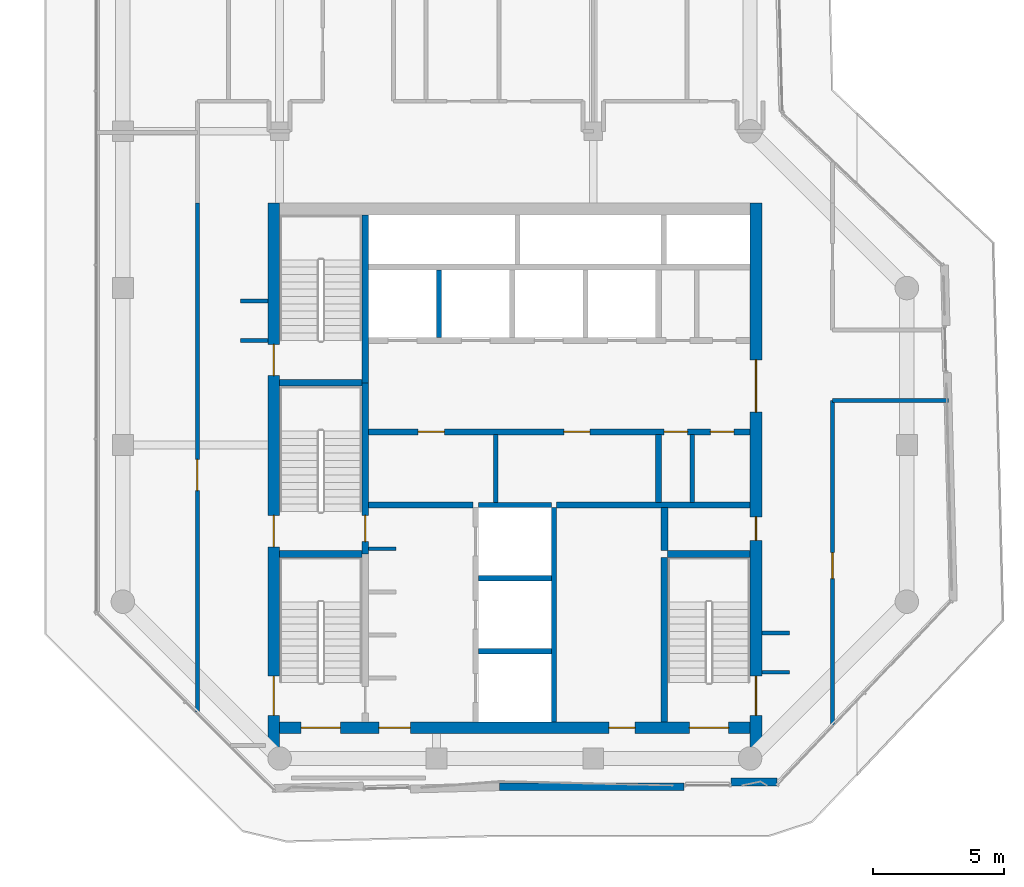
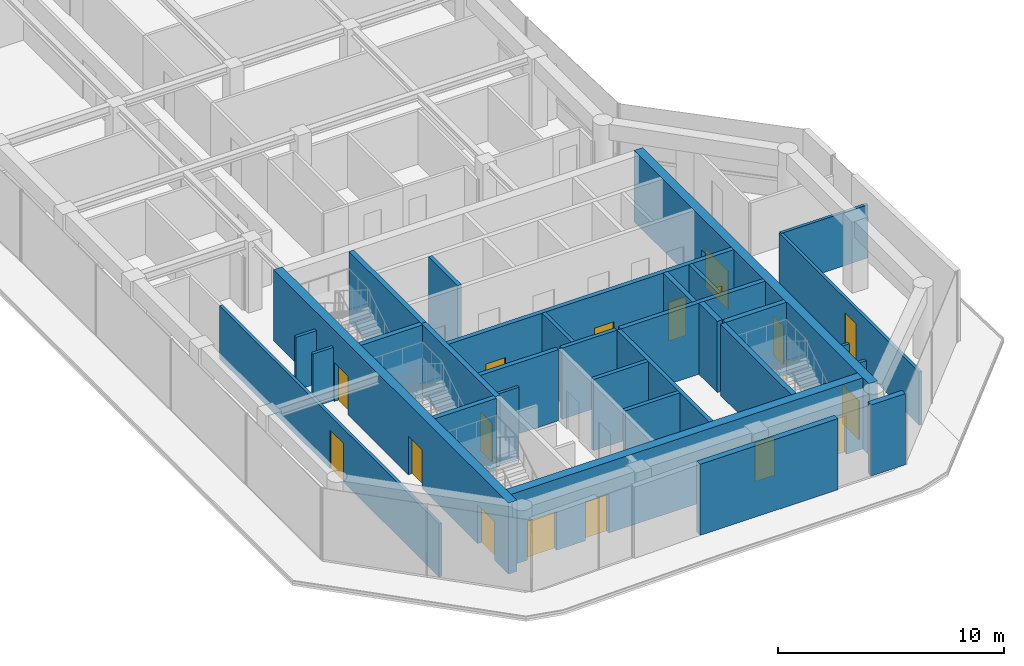
# One storey, part 16 of 20: 31 walls, 17 doors, 17 openings.
"""IFC4 building model written with IfcOpenShell, lengths in metres."""

from ifc_helpers import new_model, si_unit, direction, frame, frame_2d, origin, place, context, subcontext, project, spatial, rectangle, extrude, material, layer, layer_set, type_object, element, fill, save


model = new_model("IFC4")

# Units and contexts
model_context = context("Model", 3, precision=1e-05, world=origin(), true_north=direction((0.0, 1.0)))
body_context = subcontext(model_context, "Body", "Model", "MODEL_VIEW")
ifc_project = project(units=[si_unit("LENGTHUNIT", "METRE"), si_unit("AREAUNIT", "SQUARE_METRE"), si_unit("VOLUMEUNIT", "CUBIC_METRE"), si_unit("PLANEANGLEUNIT", "RADIAN"), si_unit("MASSUNIT", "GRAM", prefix="KILO")], contexts=[model_context])

# Site, building, storey
site_placement = place(None, origin())
site = spatial("IfcSite", under=ifc_project, at=site_placement, CompositionType="ELEMENT")
building_placement = place(site_placement, origin())
building = spatial("IfcBuilding", under=site, at=building_placement, Name="Welwitschia Terrace Campus", CompositionType="ELEMENT")
storey_placement = place(building_placement, frame((0.0, 0.0, 222.199951171875)))
storey = spatial("IfcBuildingStorey", under=building, at=storey_placement, Name="L49", CompositionType="ELEMENT", Elevation=222.199951171875)

# Walls
ifc_material_1 = material(Name="Concrete C32/40", Category="concrete")
ifc_layer_1 = layer(ifc_material_1, 0.175048828125)
ifc_layer_set_1 = layer_set([ifc_layer_1], Name="Concrete C32/40")
wall_type_1 = type_object("IfcWallType", Name="Core partition 175 Concrete C32/40", PredefinedType="PARTITIONING", material=ifc_layer_set_1)
for number, where, z_axis, x_axis, name in (
    (1, (14.27490234375, 13.800048828125, 0.0), (0.0, 0.0, 1.0), (0.0, 1.0, 0.0), "Core partition"),
    (2, (21.7900390625, 13.800048828125, 0.0), (0.0, 0.0, 1.0), (0.0, 1.0, 0.0), "Core partition"),
):
    element("IfcWall", number, at=place(storey_placement, frame(where, z_axis=z_axis, x_axis=x_axis)), inside=storey, type_object=wall_type_1, Name=name, PredefinedType="PARTITIONING", context=body_context, shape_type="SweptSolid", body=[
        extrude(rectangle(XDim=2.599853515625, YDim=0.175048828125, at=frame_2d((1.2998046875, 0.0))), origin(), (0.0, 0.0, 1.0), 3.85009765625),
    ])
ifc_material_2 = material(Name="Concrete C32/40", Category="concrete")
ifc_layer_2 = layer(ifc_material_2, 0.22509765625)
ifc_layer_set_2 = layer_set([ifc_layer_2], Name="Concrete C32/40")
wall_type_2 = type_object("IfcWallType", Name="Core partition 225 Concrete C32/40", PredefinedType="PARTITIONING", material=ifc_layer_set_2)
wall_1_placement = place(storey_placement, frame((9.39990234375, 13.699951171875, 0.0), z_axis=(0.0, 0.0, 1.0), x_axis=(1.0, 0.0, 0.0)))
element("IfcWall", 3, at=wall_1_placement, inside=storey, type_object=wall_type_2, Name="Core partition", PredefinedType="PARTITIONING", context=body_context, shape_type="SweptSolid", body=[
    extrude(rectangle(XDim=4.0, YDim=0.22509765625, at=frame_2d((2.0, 0.0))), origin(), (0.0, 0.0, 1.0), 3.85009765625),
])
wall_2_placement = place(storey_placement, frame((16.60009765625, 13.699951171875, 0.0), z_axis=(0.0, 0.0, 1.0), x_axis=(1.0, 0.0, 0.0)))
element("IfcWall", 4, at=wall_2_placement, inside=storey, type_object=wall_type_2, Name="Core partition", PredefinedType="PARTITIONING", context=body_context, shape_type="SweptSolid", body=[
    extrude(rectangle(XDim=7.39990234375, YDim=0.22509765625, at=frame_2d((3.699951171875, 0.0))), origin(), (0.0, 0.0, 1.0), 3.85009765625),
])

# Wall, openings, doors
wall_3_placement = place(storey_placement, frame((9.39990234375, 16.5, 0.0), z_axis=(0.0, 0.0, 1.0), x_axis=(1.0, 0.0, 0.0)))
wall_3 = element("IfcWall", 5, at=wall_3_placement, inside=storey, type_object=wall_type_2, Name="Core partition", PredefinedType="PARTITIONING", context=body_context, shape_type="SweptSolid", body=[
    extrude(rectangle(XDim=14.60009765625, YDim=0.22509765625, at=frame_2d((7.300048828125, 0.0))), origin(), (0.0, 0.0, 1.0), 3.85009765625),
])
opening_1_placement = place(wall_3_placement, frame((1.89990234375, 0.0, 0.0)))
opening_1 = element("IfcOpeningElement", 6, at=opening_1_placement, cuts=wall_3, Name="Opening DR10", PredefinedType="OPENING", context=body_context, shape_type="SweptSolid", body=[
    extrude(rectangle(XDim=1.0, YDim=2.10009765625, at=frame_2d((0.5, 1.050048828125))), frame((0.0, 0.12255859375, 0.0), z_axis=(0.0, -1.0, 0.0), x_axis=(1.0, 0.0, 0.0)), (0.0, 0.0, 1.0), 0.2451171875),
])
opening_2_placement = place(wall_3_placement, frame((7.47509765625, 0.0, 0.0)))
opening_2 = element("IfcOpeningElement", 7, at=opening_2_placement, cuts=wall_3, Name="Opening DR10", PredefinedType="OPENING", context=body_context, shape_type="SweptSolid", body=[
    extrude(rectangle(XDim=1.0, YDim=2.10009765625, at=frame_2d((0.5, 1.050048828125))), frame((0.0, 0.12255859375, 0.0), z_axis=(0.0, -1.0, 0.0), x_axis=(1.0, 0.0, 0.0)), (0.0, 0.0, 1.0), 0.2451171875),
])
opening_3_placement = place(wall_3_placement, frame((11.3076171875, 0.0, 0.0)))
opening_3 = element("IfcOpeningElement", 8, at=opening_3_placement, cuts=wall_3, Name="Opening DR09", PredefinedType="OPENING", context=body_context, shape_type="SweptSolid", body=[
    extrude(rectangle(XDim=0.89990234375, YDim=2.10009765625, at=frame_2d((0.449951171875, 1.050048828125))), frame((0.0, 0.12255859375, 0.0), z_axis=(0.0, -1.0, 0.0), x_axis=(1.0, 0.0, 0.0)), (0.0, 0.0, 1.0), 0.2451171875),
])
opening_4_placement = place(wall_3_placement, frame((13.08251953125, 0.0, 0.0)))
opening_4 = element("IfcOpeningElement", 9, at=opening_4_placement, cuts=wall_3, Name="Opening DR09", PredefinedType="OPENING", context=body_context, shape_type="SweptSolid", body=[
    extrude(rectangle(XDim=0.89990234375, YDim=2.10009765625, at=frame_2d((0.449951171875, 1.050048828125))), frame((0.0, 0.12255859375, 0.0), z_axis=(0.0, -1.0, 0.0), x_axis=(1.0, 0.0, 0.0)), (0.0, 0.0, 1.0), 0.2451171875),
])
ifc_material_3 = material(Name="Steel S275", Category="steel")
door_type_1 = type_object("IfcDoorType", Name="Core door DR09", OperationType="SINGLE_SWING_LEFT", PredefinedType="DOOR", material=ifc_material_3)
door_1_placement = place(opening_3_placement, origin())
door_1 = element("IfcDoor", 10, at=door_1_placement, inside=storey, type_object=door_type_1, Name="Door EL1-D", OperationType="SINGLE_SWING_RIGHT", OverallHeight=2.10009765625, OverallWidth=0.89990234375, PredefinedType="DOOR", context=body_context, shape_type="SweptSolid", body=[
    extrude(rectangle(XDim=0.89990234375, YDim=2.10009765625, at=frame_2d((0.449951171875, 1.050048828125))), frame((0.0, 0.02490234375, 0.0), z_axis=(0.0, -1.0, 0.0), x_axis=(1.0, 0.0, 0.0)), (0.0, 0.0, 1.0), 0.050048828125),
])
fill(opening_3, door_1)
door_2_placement = place(opening_4_placement, origin())
door_2 = element("IfcDoor", 11, at=door_2_placement, inside=storey, type_object=door_type_1, Name="Door EL2-D", OperationType="SINGLE_SWING_RIGHT", OverallHeight=2.10009765625, OverallWidth=0.89990234375, PredefinedType="DOOR", context=body_context, shape_type="SweptSolid", body=[
    extrude(rectangle(XDim=0.89990234375, YDim=2.10009765625, at=frame_2d((0.449951171875, 1.050048828125))), frame((0.0, 0.02490234375, 0.0), z_axis=(0.0, -1.0, 0.0), x_axis=(1.0, 0.0, 0.0)), (0.0, 0.0, 1.0), 0.050048828125),
])
fill(opening_4, door_2)
ifc_material_4 = material(Name="Steel S275", Category="steel")
door_type_2 = type_object("IfcDoorType", Name="Core door DR10", OperationType="SINGLE_SWING_LEFT", PredefinedType="DOOR", material=ifc_material_4)
door_3_placement = place(opening_1_placement, origin())
door_3 = element("IfcDoor", 12, at=door_3_placement, inside=storey, type_object=door_type_2, Name="Door BAYL1-D", OperationType="SINGLE_SWING_LEFT", OverallHeight=2.10009765625, OverallWidth=1.0, PredefinedType="DOOR", context=body_context, shape_type="SweptSolid", body=[
    extrude(rectangle(XDim=1.0, YDim=2.10009765625, at=frame_2d((0.5, 1.050048828125))), frame((0.0, 0.02490234375, 0.0), z_axis=(0.0, -1.0, 0.0), x_axis=(1.0, 0.0, 0.0)), (0.0, 0.0, 1.0), 0.050048828125),
])
fill(opening_1, door_3)
door_4_placement = place(opening_2_placement, origin())
door_4 = element("IfcDoor", 13, at=door_4_placement, inside=storey, type_object=door_type_2, Name="Door BAYL2-D", OperationType="SINGLE_SWING_RIGHT", OverallHeight=2.10009765625, OverallWidth=1.0, PredefinedType="DOOR", context=body_context, shape_type="SweptSolid", body=[
    extrude(rectangle(XDim=1.0, YDim=2.10009765625, at=frame_2d((0.5, 1.050048828125))), frame((0.0, 0.02490234375, 0.0), z_axis=(0.0, -1.0, 0.0), x_axis=(1.0, 0.0, 0.0)), (0.0, 0.0, 1.0), 0.050048828125),
])
fill(opening_2, door_4)

# Walls
wall_4_placement = place(storey_placement, frame((20.5, 13.800048828125, 0.0), z_axis=(0.0, 0.0, 1.0), x_axis=(0.0, 1.0, 0.0)))
element("IfcWall", 14, at=wall_4_placement, inside=storey, type_object=wall_type_2, Name="Core partition", PredefinedType="PARTITIONING", context=body_context, shape_type="SweptSolid", body=[
    extrude(rectangle(XDim=2.599853515625, YDim=0.22509765625, at=frame_2d((1.2998046875, 0.0))), origin(), (0.0, 0.0, 1.0), 3.85009765625),
])
ifc_material_5 = material(Name="Concrete C32/40", Category="concrete")
ifc_layer_3 = layer(ifc_material_5, 0.27490234375)
ifc_layer_set_3 = layer_set([ifc_layer_3], Name="Concrete C32/40")
wall_type_3 = type_object("IfcWallType", Name="Core partition 275 Concrete C32/40", PredefinedType="PARTITIONING", material=ifc_layer_set_3)
wall_5_placement = place(storey_placement, frame((20.72509765625, 11.949951171875, 0.0), z_axis=(0.0, 0.0, 1.0), x_axis=(0.0, 1.0, 0.0)))
element("IfcWall", 15, at=wall_5_placement, inside=storey, type_object=wall_type_3, Name="Core partition", PredefinedType="PARTITIONING", context=body_context, shape_type="SweptSolid", body=[
    extrude(rectangle(XDim=1.650146484375, YDim=0.27490234375, at=frame_2d((0.8251953125, 0.0))), origin(), (0.0, 0.0, 1.0), 3.85009765625),
])
ifc_material_6 = material(Name="Concrete C50/60", Category="concrete")
ifc_layer_4 = layer(ifc_material_6, 0.14990234375)
ifc_layer_set_4 = layer_set([ifc_layer_4], Name="Concrete C50/60")
wall_type_4 = type_object("IfcWallType", Name="Core wall 150 Concrete C50/60", PredefinedType="SHEAR", material=ifc_layer_set_4)
wall_6_placement = place(storey_placement, frame((9.39990234375, 12.02490234375, 0.0), z_axis=(0.0, 0.0, 1.0), x_axis=(1.0, 0.0, 0.0)))
element("IfcWall", 16, at=wall_6_placement, inside=storey, type_object=wall_type_4, Name="Core wall", PredefinedType="SHEAR", context=body_context, shape_type="SweptSolid", body=[
    extrude(rectangle(XDim=1.050048828125, YDim=0.14990234375, at=frame_2d((0.52490234375, 0.0))), origin(), (0.0, 0.0, 1.0), 3.85009765625),
])
ifc_material_7 = material(Name="Concrete C50/60", Category="concrete")
ifc_layer_5 = layer(ifc_material_7, 0.199951171875)
ifc_layer_set_5 = layer_set([ifc_layer_5], Name="Concrete C50/60")
wall_type_5 = type_object("IfcWallType", Name="Core wall 200 Concrete C50/60", PredefinedType="SHEAR", material=ifc_layer_set_5)
for number, where, z_axis, x_axis, name in (
    (17, (13.60009765625, 8.10009765625, 0.0), (0.0, 0.0, 1.0), (1.0, 0.0, 0.0), "Core wall"),
    (18, (13.60009765625, 10.89990234375, 0.0), (0.0, 0.0, 1.0), (1.0, 0.0, 0.0), "Core wall"),
    (19, (13.60009765625, 13.699951171875, 0.0), (0.0, 0.0, 1.0), (1.0, 0.0, 0.0), "Core wall"),
):
    element("IfcWall", number, at=place(storey_placement, frame(where, z_axis=z_axis, x_axis=x_axis)), inside=storey, type_object=wall_type_5, Name=name, PredefinedType="SHEAR", context=body_context, shape_type="SweptSolid", body=[
        extrude(rectangle(XDim=2.7998046875, YDim=0.199951171875, at=frame_2d((1.39990234375, 0.0))), origin(), (0.0, 0.0, 1.0), 3.85009765625),
    ])
wall_7_placement = place(storey_placement, frame((16.5, 5.39990234375, 0.0), z_axis=(0.0, 0.0, 1.0), x_axis=(0.0, 1.0, 0.0)))
element("IfcWall", 20, at=wall_7_placement, inside=storey, type_object=wall_type_5, Name="Core wall", PredefinedType="SHEAR", context=body_context, shape_type="SweptSolid", body=[
    extrude(rectangle(XDim=8.2001953125, YDim=0.199951171875, at=frame_2d((4.10009765625, 0.0))), origin(), (0.0, 0.0, 1.0), 3.85009765625),
])
ifc_material_8 = material(Name="Concrete C50/60", Category="concrete")
ifc_layer_6 = layer(ifc_material_8, 0.25)
ifc_layer_set_6 = layer_set([ifc_layer_6], Name="Concrete C50/60")
wall_type_6 = type_object("IfcWallType", Name="Core wall 250 Concrete C50/60", PredefinedType="SHEAR", material=ifc_layer_set_6)
for number, where, z_axis, x_axis, name in (
    (21, (6.0, 11.824951171875, 0.0), (0.0, 0.0, 1.0), (1.0, 0.0, 0.0), "Core wall"),
    (22, (20.85009765625, 11.824951171875, 0.0), (0.0, 0.0, 1.0), (1.0, 0.0, 0.0), "Core wall"),
    (23, (6.0, 18.375, 0.0), (0.0, 0.0, 1.0), (1.0, 0.0, 0.0), "Core wall"),
):
    element("IfcWall", number, at=place(storey_placement, frame(where, z_axis=z_axis, x_axis=x_axis)), inside=storey, type_object=wall_type_6, Name=name, PredefinedType="SHEAR", context=body_context, shape_type="SweptSolid", body=[
        extrude(rectangle(XDim=3.14990234375, YDim=0.25, at=frame_2d((1.574951171875, 0.0))), origin(), (0.0, 0.0, 1.0), 3.85009765625),
    ])

# Wall, opening, door
wall_8_placement = place(storey_placement, frame((9.27490234375, 18.375, 0.0), z_axis=(0.0, 0.0, 1.0), x_axis=(0.0, -1.0, 0.0)))
wall_8 = element("IfcWall", 24, at=wall_8_placement, inside=storey, type_object=wall_type_6, Name="Core wall", PredefinedType="SHEAR", context=body_context, shape_type="SweptSolid", body=[
    extrude(rectangle(XDim=6.550048828125, YDim=0.25, at=frame_2d((3.27490234375, 0.0))), origin(), (0.0, 0.0, 1.0), 3.85009765625),
])
opening_5_placement = place(wall_8_placement, frame((5.074951171875, 0.0, 0.0)))
opening_5 = element("IfcOpeningElement", 25, at=opening_5_placement, cuts=wall_8, Name="Opening DS10", PredefinedType="OPENING", context=body_context, shape_type="SweptSolid", body=[
    extrude(rectangle(XDim=1.0, YDim=2.10009765625, at=frame_2d((0.5, 1.050048828125))), frame((0.0, 0.135009765625, 0.0), z_axis=(0.0, -1.0, 0.0), x_axis=(1.0, 0.0, 0.0)), (0.0, 0.0, 1.0), 0.27001953125),
])
ifc_material_9 = material(Name="Steel S275", Category="steel")
door_type_3 = type_object("IfcDoorType", Name="Core door DS10", OperationType="SINGLE_SWING_LEFT", PredefinedType="DOOR", material=ifc_material_9)
door_5_placement = place(opening_5_placement, origin())
door_5 = element("IfcDoor", 26, at=door_5_placement, inside=storey, type_object=door_type_3, Name="Door S3-FL", OperationType="SINGLE_SWING_RIGHT", OverallHeight=2.10009765625, OverallWidth=1.0, PredefinedType="DOOR", context=body_context, shape_type="SweptSolid", body=[
    extrude(rectangle(XDim=1.0, YDim=2.10009765625, at=frame_2d((0.5, 1.050048828125))), frame((0.0, 0.02490234375, 0.0), z_axis=(0.0, -1.0, 0.0), x_axis=(1.0, 0.0, 0.0)), (0.0, 0.0, 1.0), 0.050048828125),
])
fill(opening_5, door_5)

# Walls
wall_9_placement = place(storey_placement, frame((9.27490234375, 18.375, 0.0), z_axis=(0.0, 0.0, 1.0), x_axis=(0.0, 1.0, 0.0)))
element("IfcWall", 27, at=wall_9_placement, inside=storey, type_object=wall_type_6, Name="Core wall", PredefinedType="SHEAR", context=body_context, shape_type="SweptSolid", body=[
    extrude(rectangle(XDim=6.425048828125, YDim=0.25, at=frame_2d((3.21240234375, 0.0))), origin(), (0.0, 0.0, 1.0), 3.85009765625),
])
wall_10_placement = place(storey_placement, frame((20.72509765625, 5.39990234375, 0.0), z_axis=(0.0, 0.0, 1.0), x_axis=(0.0, 1.0, 0.0)))
element("IfcWall", 28, at=wall_10_placement, inside=storey, type_object=wall_type_6, Name="Core wall", PredefinedType="SHEAR", context=body_context, shape_type="SweptSolid", body=[
    extrude(rectangle(XDim=6.300048828125, YDim=0.25, at=frame_2d((3.14990234375, 0.0))), origin(), (0.0, 0.0, 1.0), 3.85009765625),
])

# Wall, openings, doors
ifc_material_10 = material(Name="Concrete C60/75", Category="concrete")
ifc_layer_7 = layer(ifc_material_10, 0.449951171875)
ifc_layer_set_7 = layer_set([ifc_layer_7], Name="Concrete C60/75")
wall_type_7 = type_object("IfcWallType", Name="Core wall 450 Concrete C60/75", PredefinedType="SHEAR", material=ifc_layer_set_7)
wall_11_placement = place(storey_placement, frame((5.77490234375, 4.419921875, 0.0), z_axis=(0.0, 0.0, 1.0), x_axis=(0.0, 1.0, 0.0)))
wall_11 = element("IfcWall", 29, at=wall_11_placement, inside=storey, type_object=wall_type_7, Name="Core outer wall", PredefinedType="SHEAR", context=body_context, shape_type="SweptSolid", body=[
    extrude(rectangle(XDim=20.830078125, YDim=0.449951171875, at=frame_2d((10.4150390625, 0.0))), origin(), (0.0, 0.0, 1.0), 3.85009765625),
])
opening_6_placement = place(wall_11_placement, frame((1.22998046875, 0.0, 0.0)))
opening_6 = element("IfcOpeningElement", 30, at=opening_6_placement, cuts=wall_11, Name="Opening DS15", PredefinedType="OPENING", context=body_context, shape_type="SweptSolid", body=[
    extrude(rectangle(XDim=1.5, YDim=2.10009765625, at=frame_2d((0.75, 1.050048828125))), frame((0.0, 0.23486328125, 0.0), z_axis=(0.0, -1.0, 0.0), x_axis=(1.0, 0.0, 0.0)), (0.0, 0.0, 1.0), 0.469970703125),
])
opening_7_placement = place(wall_11_placement, frame((7.679931640625, 0.0, 0.0)))
opening_7 = element("IfcOpeningElement", 31, at=opening_7_placement, cuts=wall_11, Name="Opening DS12", PredefinedType="OPENING", context=body_context, shape_type="SweptSolid", body=[
    extrude(rectangle(XDim=1.199951171875, YDim=2.10009765625, at=frame_2d((0.60009765625, 1.050048828125))), frame((0.0, 0.23486328125, 0.0), z_axis=(0.0, -1.0, 0.0), x_axis=(1.0, 0.0, 0.0)), (0.0, 0.0, 1.0), 0.469970703125),
])
opening_8_placement = place(wall_11_placement, frame((14.22998046875, 0.0, 0.0)))
opening_8 = element("IfcOpeningElement", 32, at=opening_8_placement, cuts=wall_11, Name="Opening DS12", PredefinedType="OPENING", context=body_context, shape_type="SweptSolid", body=[
    extrude(rectangle(XDim=1.199951171875, YDim=2.10009765625, at=frame_2d((0.60009765625, 1.050048828125))), frame((0.0, 0.23486328125, 0.0), z_axis=(0.0, -1.0, 0.0), x_axis=(1.0, 0.0, 0.0)), (0.0, 0.0, 1.0), 0.469970703125),
])
ifc_material_11 = material(Name="Steel S275", Category="steel")
door_type_4 = type_object("IfcDoorType", Name="Core door DS12", OperationType="SINGLE_SWING_LEFT", PredefinedType="DOOR", material=ifc_material_11)
door_6_placement = place(opening_7_placement, origin())
door_6 = element("IfcDoor", 33, at=door_6_placement, inside=storey, type_object=door_type_4, Name="Door S3-out", OperationType="SINGLE_SWING_LEFT", OverallHeight=2.10009765625, OverallWidth=1.199951171875, PredefinedType="DOOR", context=body_context, shape_type="SweptSolid", body=[
    extrude(rectangle(XDim=1.199951171875, YDim=2.10009765625, at=frame_2d((0.60009765625, 1.050048828125))), frame((0.0, 0.02490234375, 0.0), z_axis=(0.0, -1.0, 0.0), x_axis=(1.0, 0.0, 0.0)), (0.0, 0.0, 1.0), 0.050048828125),
])
fill(opening_7, door_6)
door_7_placement = place(opening_8_placement, origin())
door_7 = element("IfcDoor", 34, at=door_7_placement, inside=storey, type_object=door_type_4, Name="Door S4-out", OperationType="SINGLE_SWING_RIGHT", OverallHeight=2.10009765625, OverallWidth=1.199951171875, PredefinedType="DOOR", context=body_context, shape_type="SweptSolid", body=[
    extrude(rectangle(XDim=1.199951171875, YDim=2.10009765625, at=frame_2d((0.60009765625, 1.050048828125))), frame((0.0, 0.02490234375, 0.0), z_axis=(0.0, -1.0, 0.0), x_axis=(1.0, 0.0, 0.0)), (0.0, 0.0, 1.0), 0.050048828125),
])
fill(opening_8, door_7)
ifc_material_12 = material(Name="Steel S275", Category="steel")
door_type_5 = type_object("IfcDoorType", Name="Core door DS15", OperationType="DOUBLE_DOOR_SINGLE_SWING", PredefinedType="DOOR", material=ifc_material_12)
door_8_placement = place(opening_6_placement, origin())
door_8 = element("IfcDoor", 35, at=door_8_placement, inside=storey, type_object=door_type_5, Name="Door S1-out", OperationType="DOUBLE_DOOR_SINGLE_SWING", OverallHeight=2.10009765625, OverallWidth=1.5, PredefinedType="DOOR", context=body_context, shape_type="SweptSolid", body=[
    extrude(rectangle(XDim=1.5, YDim=2.10009765625, at=frame_2d((0.75, 1.050048828125))), frame((0.0, 0.02490234375, 0.0), z_axis=(0.0, -1.0, 0.0), x_axis=(1.0, 0.0, 0.0)), (0.0, 0.0, 1.0), 0.050048828125),
])
fill(opening_6, door_8)

wall_12_placement = place(storey_placement, frame((24.22509765625, 25.25, 0.0), z_axis=(0.0, 0.0, 1.0), x_axis=(0.0, -1.0, 0.0)))
wall_12 = element("IfcWall", 36, at=wall_12_placement, inside=storey, type_object=wall_type_7, Name="Core outer wall", PredefinedType="SHEAR", context=body_context, shape_type="SweptSolid", body=[
    extrude(rectangle(XDim=20.830078125, YDim=0.449951171875, at=frame_2d((10.4150390625, 0.0))), origin(), (0.0, 0.0, 1.0), 3.85009765625),
])
opening_9_placement = place(wall_12_placement, frame((18.10009765625, 0.0, 0.0)))
opening_9 = element("IfcOpeningElement", 37, at=opening_9_placement, cuts=wall_12, Name="Opening DS15", PredefinedType="OPENING", context=body_context, shape_type="SweptSolid", body=[
    extrude(rectangle(XDim=1.5, YDim=2.10009765625, at=frame_2d((0.75, 1.050048828125))), frame((0.0, 0.23486328125, 0.0), z_axis=(0.0, -1.0, 0.0), x_axis=(1.0, 0.0, 0.0)), (0.0, 0.0, 1.0), 0.469970703125),
])
opening_10_placement = place(wall_12_placement, frame((12.0, 0.0, 0.0)))
opening_10 = element("IfcOpeningElement", 38, at=opening_10_placement, cuts=wall_12, Name="Opening DR09", PredefinedType="OPENING", context=body_context, shape_type="SweptSolid", body=[
    extrude(rectangle(XDim=0.89990234375, YDim=2.10009765625, at=frame_2d((0.449951171875, 1.050048828125))), frame((0.0, 0.23486328125, 0.0), z_axis=(0.0, -1.0, 0.0), x_axis=(1.0, 0.0, 0.0)), (0.0, 0.0, 1.0), 0.469970703125),
])
opening_11_placement = place(wall_12_placement, frame((6.0, 0.0, 0.0)))
opening_11 = element("IfcOpeningElement", 39, at=opening_11_placement, cuts=wall_12, Name="Opening DL20", PredefinedType="OPENING", context=body_context, shape_type="SweptSolid", body=[
    extrude(rectangle(XDim=2.0, YDim=2.10009765625, at=frame_2d((1.0, 1.050048828125))), frame((0.0, 0.23486328125, 0.0), z_axis=(0.0, -1.0, 0.0), x_axis=(1.0, 0.0, 0.0)), (0.0, 0.0, 1.0), 0.469970703125),
])
ifc_material_13 = material(Name="Steel S275", Category="steel")
door_type_6 = type_object("IfcDoorType", Name="Core door DL20", OperationType="DOUBLE_DOOR_SINGLE_SWING", PredefinedType="DOOR", material=ifc_material_13)
door_9_placement = place(opening_11_placement, origin())
door_9 = element("IfcDoor", 40, at=door_9_placement, inside=storey, type_object=door_type_6, Name="Door LOBBY-out", OperationType="DOUBLE_DOOR_SINGLE_SWING", OverallHeight=2.10009765625, OverallWidth=2.0, PredefinedType="DOOR", context=body_context, shape_type="SweptSolid", body=[
    extrude(rectangle(XDim=2.0, YDim=2.10009765625, at=frame_2d((1.0, 1.050048828125))), frame((0.0, 0.02490234375, 0.0), z_axis=(0.0, -1.0, 0.0), x_axis=(1.0, 0.0, 0.0)), (0.0, 0.0, 1.0), 0.050048828125),
])
fill(opening_11, door_9)
door_10_placement = place(opening_10_placement, origin())
door_10 = element("IfcDoor", 41, at=door_10_placement, inside=storey, type_object=door_type_1, Name="Door F1B-out", OperationType="SINGLE_SWING_RIGHT", OverallHeight=2.10009765625, OverallWidth=0.89990234375, PredefinedType="DOOR", context=body_context, shape_type="SweptSolid", body=[
    extrude(rectangle(XDim=0.89990234375, YDim=2.10009765625, at=frame_2d((0.449951171875, 1.050048828125))), frame((0.0, 0.02490234375, 0.0), z_axis=(0.0, -1.0, 0.0), x_axis=(1.0, 0.0, 0.0)), (0.0, 0.0, 1.0), 0.050048828125),
])
fill(opening_10, door_10)
door_11_placement = place(opening_9_placement, origin())
door_11 = element("IfcDoor", 42, at=door_11_placement, inside=storey, type_object=door_type_5, Name="Door S2-out", OperationType="DOUBLE_DOOR_SINGLE_SWING", OverallHeight=2.10009765625, OverallWidth=1.5, PredefinedType="DOOR", context=body_context, shape_type="SweptSolid", body=[
    extrude(rectangle(XDim=1.5, YDim=2.10009765625, at=frame_2d((0.75, 1.050048828125))), frame((0.0, 0.02490234375, 0.0), z_axis=(0.0, -1.0, 0.0), x_axis=(1.0, 0.0, 0.0)), (0.0, 0.0, 1.0), 0.050048828125),
])
fill(opening_9, door_11)

wall_13_placement = place(storey_placement, frame((24.0, 5.175048828125, 0.0), z_axis=(0.0, 0.0, 1.0), x_axis=(-1.0, 0.0, 0.0)))
wall_13 = element("IfcWall", 43, at=wall_13_placement, inside=storey, type_object=wall_type_7, Name="Core outer wall", PredefinedType="SHEAR", context=body_context, shape_type="SweptSolid", body=[
    extrude(rectangle(XDim=18.0, YDim=0.449951171875, at=frame_2d((9.0, 0.0))), origin(), (0.0, 0.0, 1.0), 3.85009765625),
])
opening_12_placement = place(wall_13_placement, frame((0.824951171875, 0.0, 0.0)))
opening_12 = element("IfcOpeningElement", 44, at=opening_12_placement, cuts=wall_13, Name="Opening DS15", PredefinedType="OPENING", context=body_context, shape_type="SweptSolid", body=[
    extrude(rectangle(XDim=1.5, YDim=2.10009765625, at=frame_2d((0.75, 1.050048828125))), frame((0.0, 0.23486328125, 0.0), z_axis=(0.0, -1.0, 0.0), x_axis=(1.0, 0.0, 0.0)), (0.0, 0.0, 1.0), 0.469970703125),
])
opening_13_placement = place(wall_13_placement, frame((15.675048828125, 0.0, 0.0)))
opening_13 = element("IfcOpeningElement", 45, at=opening_13_placement, cuts=wall_13, Name="Opening DS15", PredefinedType="OPENING", context=body_context, shape_type="SweptSolid", body=[
    extrude(rectangle(XDim=1.5, YDim=2.10009765625, at=frame_2d((0.75, 1.050048828125))), frame((0.0, 0.23486328125, 0.0), z_axis=(0.0, -1.0, 0.0), x_axis=(1.0, 0.0, 0.0)), (0.0, 0.0, 1.0), 0.469970703125),
])
opening_14_placement = place(wall_13_placement, frame((13.0, 0.0, 0.0)))
opening_14 = element("IfcOpeningElement", 46, at=opening_14_placement, cuts=wall_13, Name="Opening DF12", PredefinedType="OPENING", context=body_context, shape_type="SweptSolid", body=[
    extrude(rectangle(XDim=1.199951171875, YDim=2.10009765625, at=frame_2d((0.60009765625, 1.050048828125))), frame((0.0, 0.23486328125, 0.0), z_axis=(0.0, -1.0, 0.0), x_axis=(1.0, 0.0, 0.0)), (0.0, 0.0, 1.0), 0.469970703125),
])
opening_15_placement = place(wall_13_placement, frame((4.39990234375, 0.0, 0.0)))
opening_15 = element("IfcOpeningElement", 47, at=opening_15_placement, cuts=wall_13, Name="Opening DR10", PredefinedType="OPENING", context=body_context, shape_type="SweptSolid", body=[
    extrude(rectangle(XDim=1.0, YDim=2.10009765625, at=frame_2d((0.5, 1.050048828125))), frame((0.0, 0.23486328125, 0.0), z_axis=(0.0, -1.0, 0.0), x_axis=(1.0, 0.0, 0.0)), (0.0, 0.0, 1.0), 0.469970703125),
])
ifc_material_14 = material(Name="Steel S275", Category="steel")
door_type_7 = type_object("IfcDoorType", Name="Core door DF12", OperationType="SINGLE_SWING_LEFT", PredefinedType="DOOR", material=ifc_material_14)
door_12_placement = place(opening_14_placement, origin())
door_12 = element("IfcDoor", 48, at=door_12_placement, inside=storey, type_object=door_type_7, Name="Door FL-out", OperationType="SINGLE_SWING_RIGHT", OverallHeight=2.10009765625, OverallWidth=1.199951171875, PredefinedType="DOOR", context=body_context, shape_type="SweptSolid", body=[
    extrude(rectangle(XDim=1.199951171875, YDim=2.10009765625, at=frame_2d((0.60009765625, 1.050048828125))), frame((0.0, 0.02490234375, 0.0), z_axis=(0.0, -1.0, 0.0), x_axis=(1.0, 0.0, 0.0)), (0.0, 0.0, 1.0), 0.050048828125),
])
fill(opening_14, door_12)
door_13_placement = place(opening_15_placement, origin())
door_13 = element("IfcDoor", 49, at=door_13_placement, inside=storey, type_object=door_type_2, Name="Door F1-out", OperationType="SINGLE_SWING_LEFT", OverallHeight=2.10009765625, OverallWidth=1.0, PredefinedType="DOOR", context=body_context, shape_type="SweptSolid", body=[
    extrude(rectangle(XDim=1.0, YDim=2.10009765625, at=frame_2d((0.5, 1.050048828125))), frame((0.0, 0.02490234375, 0.0), z_axis=(0.0, -1.0, 0.0), x_axis=(1.0, 0.0, 0.0)), (0.0, 0.0, 1.0), 0.050048828125),
])
fill(opening_15, door_13)
door_14_placement = place(opening_12_placement, origin())
door_14 = element("IfcDoor", 50, at=door_14_placement, inside=storey, type_object=door_type_5, Name="Door S2-outS", OperationType="DOUBLE_DOOR_SINGLE_SWING", OverallHeight=2.10009765625, OverallWidth=1.5, PredefinedType="DOOR", context=body_context, shape_type="SweptSolid", body=[
    extrude(rectangle(XDim=1.5, YDim=2.10009765625, at=frame_2d((0.75, 1.050048828125))), frame((0.0, 0.02490234375, 0.0), z_axis=(0.0, -1.0, 0.0), x_axis=(1.0, 0.0, 0.0)), (0.0, 0.0, 1.0), 0.050048828125),
])
fill(opening_12, door_14)
door_15_placement = place(opening_13_placement, origin())
door_15 = element("IfcDoor", 51, at=door_15_placement, inside=storey, type_object=door_type_5, Name="Door S1-outS", OperationType="DOUBLE_DOOR_SINGLE_SWING", OverallHeight=2.10009765625, OverallWidth=1.5, PredefinedType="DOOR", context=body_context, shape_type="SweptSolid", body=[
    extrude(rectangle(XDim=1.5, YDim=2.10009765625, at=frame_2d((0.75, 1.050048828125))), frame((0.0, 0.02490234375, 0.0), z_axis=(0.0, -1.0, 0.0), x_axis=(1.0, 0.0, 0.0)), (0.0, 0.0, 1.0), 0.050048828125),
])
fill(opening_13, door_15)

# Wall, opening, door
ifc_material_15 = material(Name="Gypsum board on steel studs", Category="steel")
ifc_layer_8 = layer(ifc_material_15, 0.14990234375)
ifc_layer_set_8 = layer_set([ifc_layer_8], Name="Gypsum board on steel studs")
wall_type_8 = type_object("IfcWallType", Name="Corridor partition 150 EI 30", PredefinedType="PARTITIONING", material=ifc_layer_set_8)
wall_14_placement = place(storey_placement, frame((2.85009765625, 5.77001953125, 0.0), z_axis=(0.0, 0.0, 1.0), x_axis=(0.0, 1.0, 0.0)))
wall_14 = element("IfcWall", 52, at=wall_14_placement, inside=storey, type_object=wall_type_8, Name="Partition", PredefinedType="PARTITIONING", context=body_context, shape_type="SweptSolid", body=[
    extrude(rectangle(XDim=19.47998046875, YDim=0.14990234375, at=frame_2d((9.739990234375, 0.0))), origin(), (0.0, 0.0, 1.0), 2.880126953125),
])
opening_16_placement = place(wall_14_placement, frame((8.47998046875, 0.0, 0.0)))
opening_16 = element("IfcOpeningElement", 53, at=opening_16_placement, cuts=wall_14, Name="Opening DI12", PredefinedType="OPENING", context=body_context, shape_type="SweptSolid", body=[
    extrude(rectangle(XDim=1.199951171875, YDim=2.10009765625, at=frame_2d((0.60009765625, 1.050048828125))), frame((0.0, 0.0849609375, 0.0), z_axis=(0.0, -1.0, 0.0), x_axis=(1.0, 0.0, 0.0)), (0.0, 0.0, 1.0), 0.169921875),
])
ifc_material_16 = material(Name="Timber veneered door", Category="wood")
door_type_8 = type_object("IfcDoorType", Name="Interior door DI12", OperationType="NOTDEFINED", PredefinedType="DOOR", material=ifc_material_16)
door_16_placement = place(opening_16_placement, origin())
door_16 = element("IfcDoor", 54, at=door_16_placement, inside=storey, type_object=door_type_8, Name="Door L49 914", OperationType="SINGLE_SWING_LEFT", OverallHeight=2.10009765625, OverallWidth=1.199951171875, PredefinedType="DOOR", context=body_context, shape_type="SweptSolid", body=[
    extrude(rectangle(XDim=1.199951171875, YDim=2.10009765625, at=frame_2d((0.60009765625, 1.050048828125))), frame((0.0, 0.02490234375, 0.0), z_axis=(0.0, -1.0, 0.0), x_axis=(1.0, 0.0, 0.0)), (0.0, 0.0, 1.0), 0.050048828125),
])
fill(opening_16, door_16)

# Walls
for number, where, z_axis, x_axis, name in (
    (55, (4.5, 20.0, 0.0), (0.0, 0.0, 1.0), (1.0, 0.0, 0.0), "Partition"),
    (56, (4.5, 21.5, 0.0), (0.0, 0.0, 1.0), (1.0, 0.0, 0.0), "Partition"),
    (57, (24.449951171875, 7.300048828125, 0.0), (0.0, 0.0, 1.0), (1.0, 0.0, 0.0), "Partition"),
    (58, (24.449951171875, 8.800048828125, 0.0), (0.0, 0.0, 1.0), (1.0, 0.0, 0.0), "Partition"),
):
    element("IfcWall", number, at=place(storey_placement, frame(where, z_axis=z_axis, x_axis=x_axis)), inside=storey, type_object=wall_type_8, Name=name, PredefinedType="PARTITIONING", context=body_context, shape_type="SweptSolid", body=[
        extrude(rectangle(XDim=1.050048828125, YDim=0.14990234375, at=frame_2d((0.52490234375, 0.0))), origin(), (0.0, 0.0, 1.0), 2.880126953125),
    ])

# Wall, opening, door
wall_15_placement = place(storey_placement, frame((27.14990234375, 17.699951171875, 0.0), z_axis=(0.0, 0.0, 1.0), x_axis=(0.0, -1.0, 0.0)))
wall_15 = element("IfcWall", 59, at=wall_15_placement, inside=storey, type_object=wall_type_8, Name="Partition", PredefinedType="PARTITIONING", context=body_context, shape_type="SweptSolid", body=[
    extrude(rectangle(XDim=12.419921875, YDim=0.14990234375, at=frame_2d((6.2099609375, 0.0))), origin(), (0.0, 0.0, 1.0), 2.880126953125),
])
opening_17_placement = place(wall_15_placement, frame((5.820068359375, 0.0, 0.0)))
opening_17 = element("IfcOpeningElement", 60, at=opening_17_placement, cuts=wall_15, Name="Opening DI10", PredefinedType="OPENING", context=body_context, shape_type="SweptSolid", body=[
    extrude(rectangle(XDim=1.0, YDim=2.10009765625, at=frame_2d((0.5, 1.050048828125))), frame((0.0, 0.0849609375, 0.0), z_axis=(0.0, -1.0, 0.0), x_axis=(1.0, 0.0, 0.0)), (0.0, 0.0, 1.0), 0.169921875),
])
ifc_material_17 = material(Name="Timber veneered door", Category="wood")
door_type_9 = type_object("IfcDoorType", Name="Interior door DI10", OperationType="NOTDEFINED", PredefinedType="DOOR", material=ifc_material_17)
door_17_placement = place(opening_17_placement, origin())
door_17 = element("IfcDoor", 61, at=door_17_placement, inside=storey, type_object=door_type_9, Name="Door L49 929", OperationType="SINGLE_SWING_RIGHT", OverallHeight=2.10009765625, OverallWidth=1.0, PredefinedType="DOOR", context=body_context, shape_type="SweptSolid", body=[
    extrude(rectangle(XDim=1.0, YDim=2.10009765625, at=frame_2d((0.5, 1.050048828125))), frame((0.0, 0.02490234375, 0.0), z_axis=(0.0, -1.0, 0.0), x_axis=(1.0, 0.0, 0.0)), (0.0, 0.0, 1.0), 0.050048828125),
])
fill(opening_17, door_17)

# Walls
wall_16_placement = place(storey_placement, frame((27.14990234375, 17.699951171875, 0.0), z_axis=(0.0, 0.0, 1.0), x_axis=(1.0, 0.0, 0.0)))
element("IfcWall", 62, at=wall_16_placement, inside=storey, type_object=wall_type_8, Name="Partition", PredefinedType="PARTITIONING", context=body_context, shape_type="SweptSolid", body=[
    extrude(rectangle(XDim=4.435302734375, YDim=0.14990234375, at=frame_2d((2.2177734375, 0.0))), origin(), (0.0, 0.0, 1.0), 2.880126953125),
])
ifc_material_18 = material(Name="Concrete C40/50", Category="concrete")
ifc_layer_9 = layer(ifc_material_18, 0.300048828125)
ifc_layer_set_9 = layer_set([ifc_layer_9], Name="Concrete C40/50")
wall_type_9 = type_object("IfcWallType", Name="Mass wall 300", PredefinedType="SOLIDWALL", material=ifc_layer_set_9)
wall_17_placement = place(storey_placement, frame((14.410400390625, 2.919921875, 0.0), z_axis=(0.0, 0.0, 1.0), x_axis=(1.0, 0.0, 0.0)))
element("IfcWall", 63, at=wall_17_placement, inside=storey, type_object=wall_type_9, Name="Mass wall L49.3.0", PredefinedType="SOLIDWALL", context=body_context, shape_type="SweptSolid", body=[
    extrude(rectangle(XDim=7.062744140625, YDim=0.300048828125, at=frame_2d((3.53125, 0.0))), origin(), (0.0, 0.0, 1.0), 3.85009765625),
])
wall_18_placement = place(storey_placement, frame((23.273193359375, 3.0986328125, 0.0), z_axis=(0.0, 0.0, 1.0), x_axis=(1.0, 0.0, 0.0)))
element("IfcWall", 64, at=wall_18_placement, inside=storey, type_object=wall_type_9, Name="Mass wall L49.3.1", PredefinedType="SOLIDWALL", context=body_context, shape_type="SweptSolid", body=[
    extrude(rectangle(XDim=1.754150390625, YDim=0.300048828125, at=frame_2d((0.876953125, 0.0))), origin(), (0.0, 0.0, 1.0), 3.85009765625),
])
ifc_material_19 = material(Name="Concrete C32/40", Category="concrete")
ifc_layer_10 = layer(ifc_material_19, 0.199951171875)
ifc_layer_set_10 = layer_set([ifc_layer_10], Name="Concrete C32/40")
wall_type_10 = type_object("IfcWallType", Name="Shaft wall 200 Concrete C32/40", PredefinedType="SOLIDWALL", material=ifc_layer_set_10)
wall_19_placement = place(storey_placement, frame((12.10009765625, 20.10009765625, 0.0), z_axis=(0.0, 0.0, 1.0), x_axis=(0.0, 1.0, 0.0)))
element("IfcWall", 65, at=wall_19_placement, inside=storey, type_object=wall_type_10, Name="Shaft wall", PredefinedType="SOLIDWALL", context=body_context, shape_type="SweptSolid", body=[
    extrude(rectangle(XDim=2.599853515625, YDim=0.199951171875, at=frame_2d((1.2998046875, 0.0))), origin(), (0.0, 0.0, 1.0), 3.85009765625),
])

save(model, "model.ifc")
